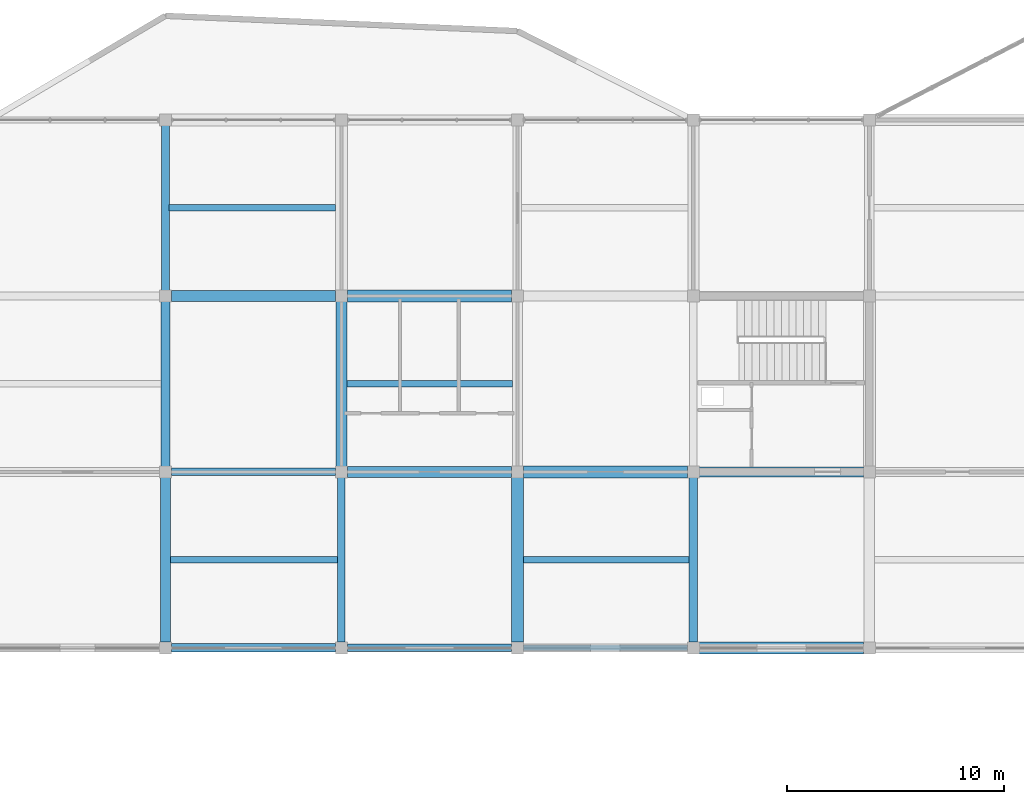
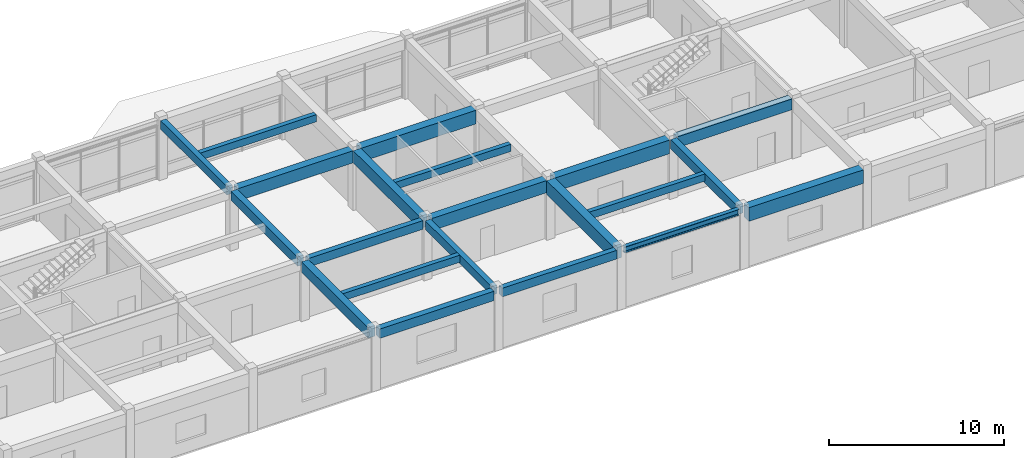
# One storey, part 10 of 42: 21 beams.
"""IFC4 building model written with IfcOpenShell, lengths in metres."""

from ifc_helpers import new_model, si_unit, direction, frame, origin, origin_2d, place, context, subcontext, project, spatial, rectangle, i_section, extrude, material, material_profile, profile_set, type_object, element, save


model = new_model("IFC4")

# Units and contexts
model_context = context("Model", 3, precision=1e-05, world=origin(), true_north=direction((0.0, 1.0)))
body_context = subcontext(model_context, "Body", "Model", "MODEL_VIEW")
ifc_project = project(units=[si_unit("LENGTHUNIT", "METRE"), si_unit("AREAUNIT", "SQUARE_METRE"), si_unit("VOLUMEUNIT", "CUBIC_METRE"), si_unit("PLANEANGLEUNIT", "RADIAN"), si_unit("MASSUNIT", "GRAM", prefix="KILO")], contexts=[model_context])

# Site, building, storey
site_placement = place(None, origin())
site = spatial("IfcSite", under=ifc_project, at=site_placement, CompositionType="ELEMENT")
building_placement = place(site_placement, origin())
building = spatial("IfcBuilding", under=site, at=building_placement, Name="Vaudrelin Polytechnic", CompositionType="ELEMENT")
storey_placement = place(building_placement, frame((0.0, 0.0, 18.530029296875)))
storey = spatial("IfcBuildingStorey", under=building, at=storey_placement, Name="L04", CompositionType="ELEMENT", Elevation=18.530029296875)

# Beams
ifc_material_1 = material(Name="Concrete 40 MPa", Category="concrete")
ifc_material_profile_1 = material_profile(ifc_material_1, rectangle(XDim=0.35009765625, YDim=0.60009765625, at=origin_2d()), Name="RC350x600")
ifc_profile_set_1 = profile_set([ifc_material_profile_1], Name="Concrete 40 MPa")
beam_type_1 = type_object("IfcBeamType", Name="BM-BM-RC3560", PredefinedType="BEAM", material=ifc_profile_set_1)
for number, where, z_axis, x_axis, name in (
    (1, (32.39990234375, 113.659912109375, 3.85986328125), (0.0, 1.0, 0.0), (-1.0, 0.0, 0.0), "L04 Y-beam 5-15"),
    (2, (40.5, 97.4599609375, 3.85986328125), (0.0, 1.0, 0.0), (-1.0, 0.0, 0.0), "L04 Y-beam 6-13"),
):
    element("IfcBeam", number, at=place(storey_placement, frame(where, z_axis=z_axis, x_axis=x_axis)), inside=storey, type_object=beam_type_1, Name=name, PredefinedType="BEAM", context=body_context, shape_type="SweptSolid", body=[
        extrude(rectangle(XDim=0.35009765625, YDim=0.60009765625, at=origin_2d()), origin(), (0.0, 0.0, 1.0), 7.580078125),
    ])
for number, where, z_axis, x_axis, name in (
    (3, (32.6708984375, 105.300048828125, 3.85986328125), (1.0, 0.0, 0.0), (0.0, 1.0, 0.0), "L04 X-beam 5-14"),
    (4, (40.77099609375, 97.199951171875, 3.85986328125), (1.0, 0.0, 0.0), (0.0, 1.0, 0.0), "L04 X-beam 6-13"),
):
    element("IfcBeam", number, at=place(storey_placement, frame(where, z_axis=z_axis, x_axis=x_axis)), inside=storey, type_object=beam_type_1, Name=name, PredefinedType="BEAM", context=body_context, shape_type="SweptSolid", body=[
        extrude(rectangle(XDim=0.35009765625, YDim=0.60009765625, at=origin_2d()), origin(), (0.0, 0.0, 1.0), 7.55810546875),
    ])
ifc_material_profile_2 = material_profile(ifc_material_1, rectangle(XDim=0.39990234375, YDim=0.64990234375, at=origin_2d()), Name="RC400x650")
ifc_profile_set_2 = profile_set([ifc_material_profile_2], Name="Concrete 40 MPa")
beam_type_2 = type_object("IfcBeamType", Name="BM-BM-RC4065", PredefinedType="BEAM", material=ifc_profile_set_2)
beam_1_placement = place(storey_placement, frame((32.39990234375, 105.56005859375, 3.8349609375), z_axis=(0.0, 1.0, 0.0), x_axis=(-1.0, 0.0, 0.0)))
element("IfcBeam", 5, at=beam_1_placement, inside=storey, type_object=beam_type_2, Name="L04 Y-beam 5-14", PredefinedType="BEAM", context=body_context, shape_type="SweptSolid", body=[
    extrude(rectangle(XDim=0.39990234375, YDim=0.64990234375, at=origin_2d()), origin(), (0.0, 0.0, 1.0), 7.579833984375),
])
beam_2_placement = place(storey_placement, frame((56.699951171875, 97.4599609375, 3.8349609375), z_axis=(0.0, 1.0, 0.0), x_axis=(-1.0, 0.0, 0.0)))
element("IfcBeam", 6, at=beam_2_placement, inside=storey, type_object=beam_type_2, Name="L04 Y-beam 8-13", PredefinedType="BEAM", context=body_context, shape_type="SweptSolid", body=[
    extrude(rectangle(XDim=0.39990234375, YDim=0.64990234375, at=origin_2d()), origin(), (0.0, 0.0, 1.0), 7.580078125),
])
beam_3_placement = place(storey_placement, frame((32.6708984375, 97.199951171875, 3.8349609375), z_axis=(1.0, 0.0, 0.0), x_axis=(0.0, 1.0, 0.0)))
element("IfcBeam", 7, at=beam_3_placement, inside=storey, type_object=beam_type_2, Name="L04 X-beam 5-13", PredefinedType="BEAM", context=body_context, shape_type="SweptSolid", body=[
    extrude(rectangle(XDim=0.39990234375, YDim=0.64990234375, at=origin_2d()), origin(), (0.0, 0.0, 1.0), 7.55810546875),
])
ifc_material_profile_3 = material_profile(ifc_material_1, rectangle(XDim=0.449951171875, YDim=0.75, at=origin_2d()), Name="RC450x750")
ifc_profile_set_3 = profile_set([ifc_material_profile_3], Name="Concrete 40 MPa")
beam_type_3 = type_object("IfcBeamType", Name="BM-BM-RC4575", PredefinedType="BEAM", material=ifc_profile_set_3)
beam_4_placement = place(storey_placement, frame((32.39990234375, 97.4599609375, 3.784912109375), z_axis=(0.0, 1.0, 0.0), x_axis=(-1.0, 0.0, 0.0)))
element("IfcBeam", 8, at=beam_4_placement, inside=storey, type_object=beam_type_3, Name="L04 Y-beam 5-13", PredefinedType="BEAM", context=body_context, shape_type="SweptSolid", body=[
    extrude(rectangle(XDim=0.449951171875, YDim=0.75, at=origin_2d()), origin(), (0.0, 0.0, 1.0), 7.580078125),
])
beam_5_placement = place(storey_placement, frame((56.970947265625, 105.300048828125, 3.784912109375), z_axis=(1.0, 0.0, 0.0), x_axis=(0.0, 1.0, 0.0)))
element("IfcBeam", 9, at=beam_5_placement, inside=storey, type_object=beam_type_3, Name="L04 X-beam 8-14", PredefinedType="BEAM", context=body_context, shape_type="SweptSolid", body=[
    extrude(rectangle(XDim=0.449951171875, YDim=0.75, at=origin_2d()), origin(), (0.0, 0.0, 1.0), 7.55810546875),
])
ifc_material_profile_4 = material_profile(ifc_material_1, rectangle(XDim=0.5, YDim=0.85009765625, at=origin_2d()), Name="RC500x850")
ifc_profile_set_4 = profile_set([ifc_material_profile_4], Name="Concrete 40 MPa")
beam_type_4 = type_object("IfcBeamType", Name="BM-BM-RC5085", PredefinedType="BEAM", material=ifc_profile_set_4)
beam_6_placement = place(storey_placement, frame((40.5, 105.56005859375, 3.73486328125), z_axis=(0.0, 1.0, 0.0), x_axis=(-1.0, 0.0, 0.0)))
element("IfcBeam", 10, at=beam_6_placement, inside=storey, type_object=beam_type_4, Name="L04 Y-beam 6-14", PredefinedType="BEAM", context=body_context, shape_type="SweptSolid", body=[
    extrude(rectangle(XDim=0.5, YDim=0.85009765625, at=origin_2d()), origin(), (0.0, 0.0, 1.0), 7.579833984375),
])
for number, where, z_axis, x_axis, name in (
    (11, (32.6708984375, 113.39990234375, 3.73486328125), (1.0, 0.0, 0.0), (0.0, 1.0, 0.0), "L04 X-beam 5-15"),
    (12, (40.77099609375, 105.300048828125, 3.73486328125), (1.0, 0.0, 0.0), (0.0, 1.0, 0.0), "L04 X-beam 6-14"),
):
    element("IfcBeam", number, at=place(storey_placement, frame(where, z_axis=z_axis, x_axis=x_axis)), inside=storey, type_object=beam_type_4, Name=name, PredefinedType="BEAM", context=body_context, shape_type="SweptSolid", body=[
        extrude(rectangle(XDim=0.5, YDim=0.85009765625, at=origin_2d()), origin(), (0.0, 0.0, 1.0), 7.55810546875),
    ])
ifc_material_2 = material(Name="Concrete 50 MPa", Category="concrete")
ifc_material_profile_5 = material_profile(ifc_material_2, rectangle(XDim=0.550048828125, YDim=0.949951171875, at=origin_2d()), Name="RC550x950")
ifc_profile_set_5 = profile_set([ifc_material_profile_5], Name="Concrete 50 MPa")
beam_type_5 = type_object("IfcBeamType", Name="BM-BM-RC5595", PredefinedType="BEAM", material=ifc_profile_set_5)
beam_7_placement = place(storey_placement, frame((48.60009765625, 97.4599609375, 3.68505859375), z_axis=(0.0, 1.0, 0.0), x_axis=(-1.0, 0.0, 0.0)))
element("IfcBeam", 13, at=beam_7_placement, inside=storey, type_object=beam_type_5, Name="L04 Y-beam 7-13", PredefinedType="BEAM", context=body_context, shape_type="SweptSolid", body=[
    extrude(rectangle(XDim=0.550048828125, YDim=0.949951171875, at=origin_2d()), origin(), (0.0, 0.0, 1.0), 7.580078125),
])
beam_8_placement = place(storey_placement, frame((40.77099609375, 113.39990234375, 3.68505859375), z_axis=(1.0, 0.0, 0.0), x_axis=(0.0, 1.0, 0.0)))
element("IfcBeam", 14, at=beam_8_placement, inside=storey, type_object=beam_type_5, Name="L04 X-beam 6-15", PredefinedType="BEAM", context=body_context, shape_type="SweptSolid", body=[
    extrude(rectangle(XDim=0.550048828125, YDim=0.949951171875, at=origin_2d()), origin(), (0.0, 0.0, 1.0), 7.55810546875),
])
beam_9_placement = place(storey_placement, frame((48.87109375, 105.300048828125, 3.68505859375), z_axis=(1.0, 0.0, 0.0), x_axis=(0.0, 1.0, 0.0)))
element("IfcBeam", 15, at=beam_9_placement, inside=storey, type_object=beam_type_5, Name="L04 X-beam 7-14", PredefinedType="BEAM", context=body_context, shape_type="SweptSolid", body=[
    extrude(rectangle(XDim=0.550048828125, YDim=0.949951171875, at=origin_2d()), origin(), (0.0, 0.0, 1.0), 7.557861328125),
])
beam_10_placement = place(storey_placement, frame((56.970947265625, 97.199951171875, 3.68505859375), z_axis=(1.0, 0.0, 0.0), x_axis=(0.0, 1.0, 0.0)))
element("IfcBeam", 16, at=beam_10_placement, inside=storey, type_object=beam_type_5, Name="L04 X-beam 8-13", PredefinedType="BEAM", context=body_context, shape_type="SweptSolid", body=[
    extrude(rectangle(XDim=0.550048828125, YDim=0.949951171875, at=origin_2d()), origin(), (0.0, 0.0, 1.0), 7.55810546875),
])
ifc_material_3 = material(Name="Steel CSA G40.21 350WT", Category="steel")
ifc_material_profile_6 = material_profile(ifc_material_3, i_section(OverallWidth=0.260009765625, OverallDepth=0.4150390625, WebThickness=0.010009765625, FlangeThickness=0.016845703125, FilletRadius=0.01611328125, at=origin_2d()), Name="W410x100")
ifc_profile_set_6 = profile_set([ifc_material_profile_6], Name="Steel CSA G40.21 350WT")
beam_type_6 = type_object("IfcBeamType", Name="BM-BM-W410H", PredefinedType="SPANDREL", material=ifc_profile_set_6)
beam_11_placement = place(storey_placement, frame((48.87109375, 97.199951171875, 3.952392578125), z_axis=(1.0, 0.0, 0.0), x_axis=(0.0, 1.0, 0.0)))
element("IfcBeam", 17, at=beam_11_placement, inside=storey, type_object=beam_type_6, Name="L04 X-beam 7-13", PredefinedType="SPANDREL", context=body_context, shape_type="SweptSolid", body=[
    extrude(i_section(OverallWidth=0.260009765625, OverallDepth=0.4150390625, WebThickness=0.010009765625, FlangeThickness=0.016845703125, FilletRadius=0.01611328125, at=origin_2d()), origin(), (0.0, 0.0, 1.0), 7.557861328125),
])
ifc_material_profile_7 = material_profile(ifc_material_1, rectangle(XDim=0.300048828125, YDim=0.5, at=origin_2d()), Name="RC300x500")
ifc_profile_set_7 = profile_set([ifc_material_profile_7], Name="Concrete 40 MPa")
beam_type_7 = type_object("IfcBeamType", Name="BM-JS-RC3050", PredefinedType="JOIST", material=ifc_profile_set_7)
beam_12_placement = place(storey_placement, frame((32.62109375, 101.25, 3.909912109375), z_axis=(1.0, 0.0, 0.0), x_axis=(0.0, 1.0, 0.0)))
element("IfcBeam", 18, at=beam_12_placement, inside=storey, type_object=beam_type_7, Name="L04 floor joist 5-13", PredefinedType="JOIST", context=body_context, shape_type="SweptSolid", body=[
    extrude(rectangle(XDim=0.300048828125, YDim=0.5, at=origin_2d()), origin(), (0.0, 0.0, 1.0), 7.7080078125),
])
beam_13_placement = place(storey_placement, frame((32.571044921875, 117.449951171875, 3.909912109375), z_axis=(1.0, 0.0, 0.0), x_axis=(0.0, 1.0, 0.0)))
element("IfcBeam", 19, at=beam_13_placement, inside=storey, type_object=beam_type_7, Name="L04 floor joist 5-15", PredefinedType="JOIST", context=body_context, shape_type="SweptSolid", body=[
    extrude(rectangle(XDim=0.300048828125, YDim=0.5, at=origin_2d()), origin(), (0.0, 0.0, 1.0), 7.657958984375),
])
for number, where, z_axis, x_axis, name in (
    (20, (40.74609375, 109.35009765625, 3.909912109375), (1.0, 0.0, 0.0), (0.0, 1.0, 0.0), "L04 floor joist 6-14"),
    (21, (48.87109375, 101.25, 3.909912109375), (1.0, 0.0, 0.0), (0.0, 1.0, 0.0), "L04 floor joist 7-13"),
):
    element("IfcBeam", number, at=place(storey_placement, frame(where, z_axis=z_axis, x_axis=x_axis)), inside=storey, type_object=beam_type_7, Name=name, PredefinedType="JOIST", context=body_context, shape_type="SweptSolid", body=[
        extrude(rectangle(XDim=0.300048828125, YDim=0.5, at=origin_2d()), origin(), (0.0, 0.0, 1.0), 7.6328125),
    ])

save(model, "model.ifc")
